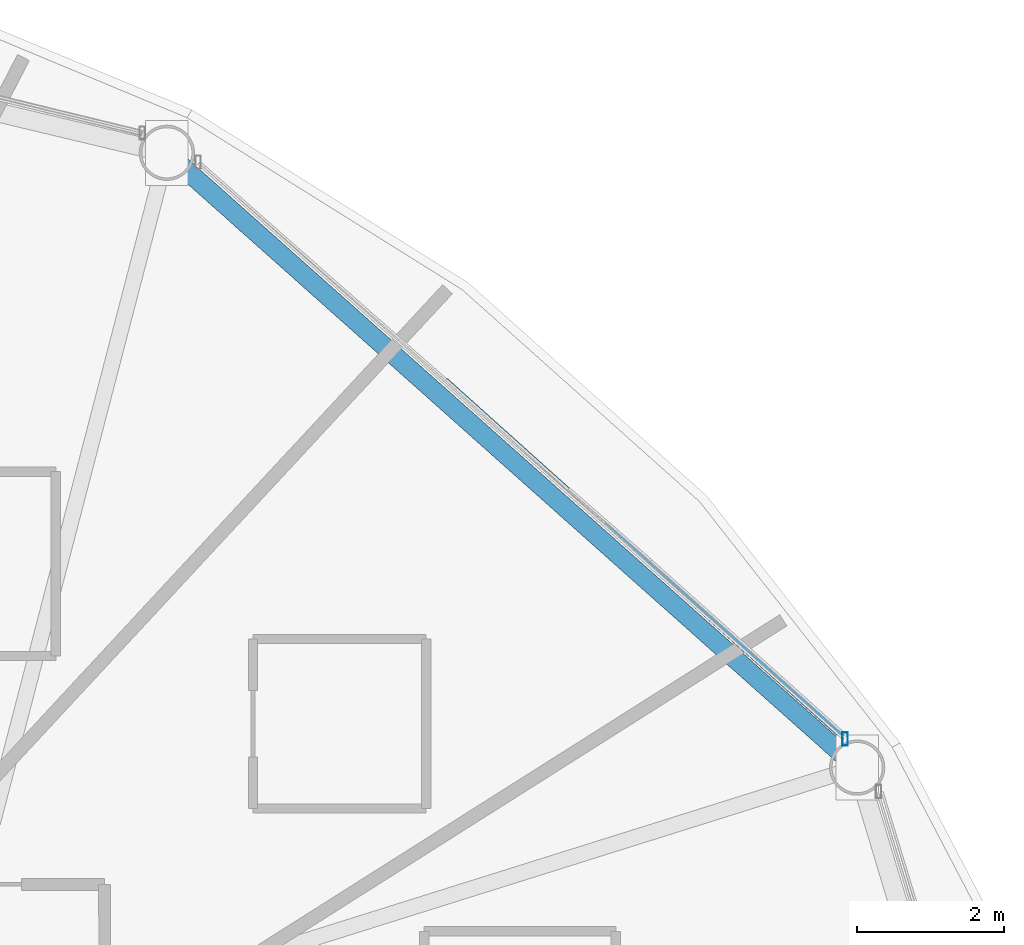
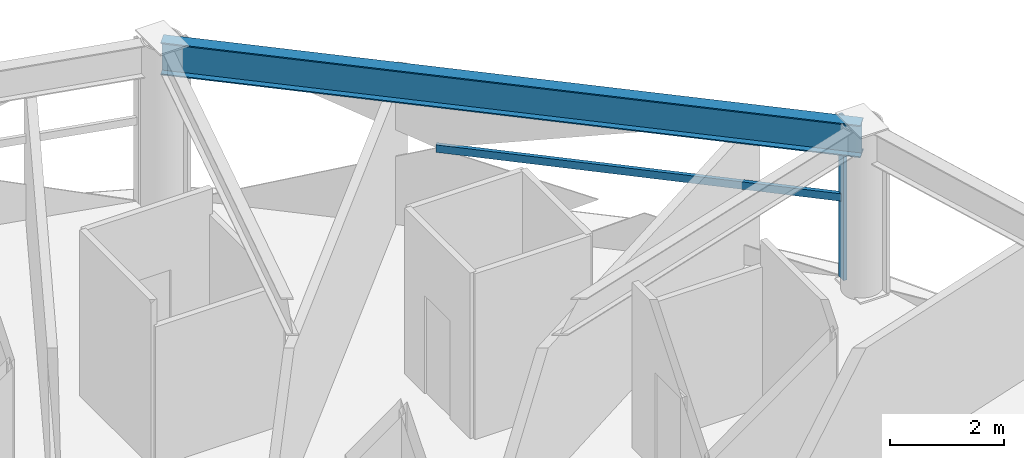
# One storey, part 20 of 32: 2 members, 1 beam, 1 element without a shape of its own.
"""IFC4 building model written with IfcOpenShell, lengths in metres."""

from ifc_helpers import new_model, si_unit, direction, frame, origin, origin_2d, place, context, subcontext, project, spatial, hollow_rectangle, i_section, extrude, material, layer, layer_set, material_profile, profile_set, type_object, element, aggregate, save


model = new_model("IFC4")

# Units and contexts
model_context = context("Model", 3, precision=1e-05, world=origin(), true_north=direction((0.0, 1.0)))
body_context = subcontext(model_context, "Body", "Model", "MODEL_VIEW")
ifc_project = project(units=[si_unit("LENGTHUNIT", "METRE"), si_unit("AREAUNIT", "SQUARE_METRE"), si_unit("VOLUMEUNIT", "CUBIC_METRE"), si_unit("PLANEANGLEUNIT", "RADIAN"), si_unit("MASSUNIT", "GRAM", prefix="KILO")], contexts=[model_context])

# Site, building, storey
site_placement = place(None, origin())
site = spatial("IfcSite", under=ifc_project, at=site_placement, CompositionType="ELEMENT")
building_placement = place(site_placement, origin())
building = spatial("IfcBuilding", under=site, at=building_placement, Name="Vantalir Tower", CompositionType="ELEMENT")
storey_placement = place(building_placement, frame((0.0, 0.0, 108.449951171875)))
storey = spatial("IfcBuildingStorey", under=building, at=storey_placement, Name="L26", CompositionType="ELEMENT", Elevation=108.449951171875)

# Beam
ifc_material_1 = material(Name="Steel S460", Category="steel")
ifc_material_profile_1 = material_profile(ifc_material_1, i_section(OverallWidth=0.256103515625, OverallDepth=0.693115234375, WebThickness=0.014404296875, FlangeThickness=0.023681640625, at=origin_2d()), Name="Steel S460")
ifc_profile_set_1 = profile_set([ifc_material_profile_1], Name="Steel S460")
beam_type = type_object("IfcBeamType", Name="BM-RG-686x254", PredefinedType="USERDEFINED", material=ifc_profile_set_1)
beam_placement = place(storey_placement, frame((53.659912109375, 36.39404296875, 3.22314453125), z_axis=(-0.746784993974, 0.665065540211, 0.0), x_axis=(-0.665065540211, -0.746784993974, 0.0)))
element("IfcBeam", 1, at=beam_placement, inside=storey, type_object=beam_type, Name="L26 Circumferential Ring Girder 02", ObjectType="GIRDER", PredefinedType="USERDEFINED", context=body_context, shape_type="SweptSolid", body=[
    extrude(i_section(OverallWidth=0.256103515625, OverallDepth=0.693115234375, WebThickness=0.014404296875, FlangeThickness=0.023681640625, at=origin_2d()), origin(), (0.0, 0.0, 1.0), 12.541748046875),
])

# Curtain wall, members
ifc_material_2 = material(Name="Champagne-silver PVDF aluminium and double-silver Low-E glass", Category="aluminium")
ifc_layer = layer(ifc_material_2, 0.199951171875)
ifc_layer_set = layer_set([ifc_layer], Name="Champagne-silver PVDF aluminium and double-silver Low-E glass")
curtain_wall_type = type_object("IfcCurtainWallType", Name="CW-DIAMOND-Z2", PredefinedType="USERDEFINED", material=ifc_layer_set)
curtain_wall_placement = place(storey_placement, origin())
curtain_wall = element("IfcCurtainWall", 2, at=curtain_wall_placement, inside=storey, type_object=curtain_wall_type, Name="L26 Quilted Pyramid-Diamond Curtain Wall S02", ObjectType="UNITISED CURTAIN WALL", PredefinedType="USERDEFINED")
ifc_material_3 = material(Name="Champagne-silver PVDF aluminium 6063-T6", Category="aluminium")
ifc_material_profile_2 = material_profile(ifc_material_3, hollow_rectangle(XDim=0.074951171875, YDim=0.179931640625, WallThickness=0.00390625, at=origin_2d()), Name="Champagne-silver PVDF aluminium 6063-T6")
ifc_profile_set_2 = profile_set([ifc_material_profile_2], Name="Champagne-silver PVDF aluminium 6063-T6")
member_type_1 = type_object("IfcMemberType", Name="CWM-180x75", PredefinedType="MULLION", material=ifc_profile_set_2)
member_1_placement = place(storey_placement, frame((53.49609375, 36.781982421875, 0.045166015625), z_axis=(0.0, 0.0, 1.0), x_axis=(1.0, 0.0, 0.0)))
member_1 = element("IfcMember", 3, at=member_1_placement, type_object=member_type_1, Name="CW-L26-S02 Mullion 1", PredefinedType="MULLION", context=body_context, shape_type="SweptSolid", body=[
    extrude(hollow_rectangle(XDim=0.074951171875, YDim=0.179931640625, WallThickness=0.00390625, at=origin_2d()), origin(), (0.0, 0.0, 1.0), 3.47998046875),
])
ifc_material_profile_3 = material_profile(ifc_material_3, hollow_rectangle(XDim=0.074951171875, YDim=0.159912109375, WallThickness=0.00390625, at=origin_2d()), Name="Champagne-silver PVDF aluminium 6063-T6")
ifc_profile_set_3 = profile_set([ifc_material_profile_3], Name="Champagne-silver PVDF aluminium 6063-T6")
member_type_2 = type_object("IfcMemberType", Name="CWT-160x75", PredefinedType="USERDEFINED", material=ifc_profile_set_3)
member_2_placement = place(storey_placement, frame((53.49609375, 36.781982421875, 1.78515625), z_axis=(-0.744284112495, 0.667863129606, 0.0), x_axis=(-0.667863129606, -0.744284112495, 0.0)))
member_2 = element("IfcMember", 4, at=member_2_placement, type_object=member_type_2, Name="CW-L26-S02 Pyramid Fold Ridge Transom", ObjectType="TRANSOM", PredefinedType="USERDEFINED", context=body_context, shape_type="SweptSolid", body=[
    extrude(hollow_rectangle(XDim=0.074951171875, YDim=0.159912109375, WallThickness=0.00390625, at=origin_2d()), origin(), (0.0, 0.0, 1.0), 7.290283203125),
])
aggregate(curtain_wall, [member_1, member_2])

save(model, "model.ifc")
